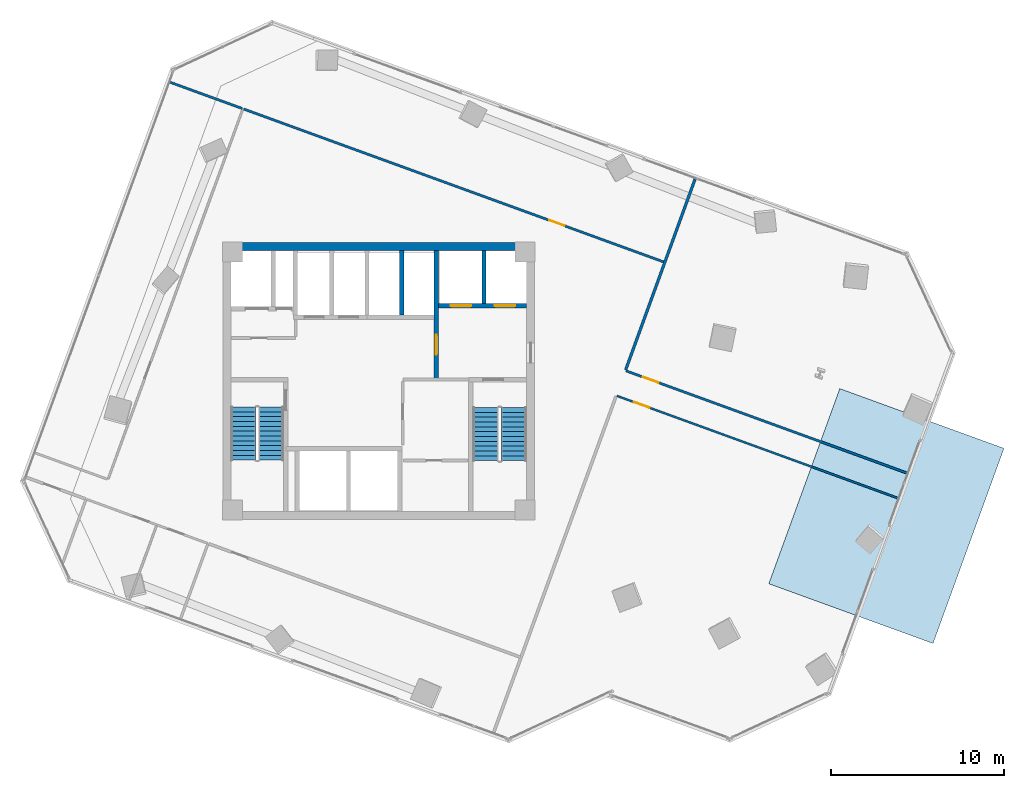
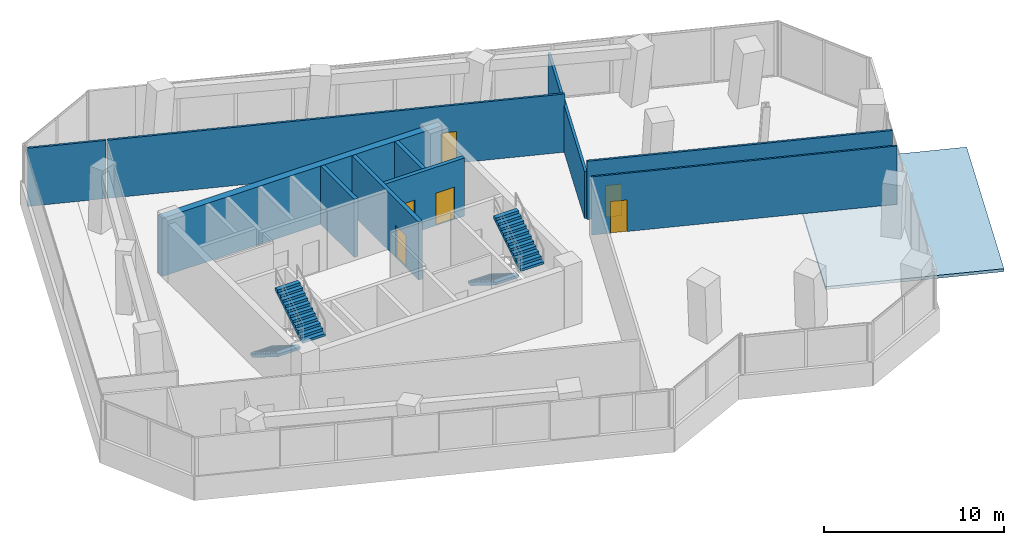
# One storey, part 17 of 21: 10 walls, 6 doors, 4 stair flights, 1 roof, 6 openings, 2 elements without a shape of their own.
"""IFC4 building model written with IfcOpenShell, lengths in metres."""

from ifc_helpers import new_model, si_unit, direction, frame, frame_2d, origin, place, context, subcontext, project, spatial, polyline, rectangle, outline, extrude, source, transform, mapped, material, layer, layer_set, type_object, element, fill, aggregate, save


model = new_model("IFC4")

# Units and contexts
model_context = context("Model", 3, precision=1e-05, world=origin(), true_north=direction((0.0, 1.0)))
body_context = subcontext(model_context, "Body", "Model", "MODEL_VIEW")
ifc_project = project(units=[si_unit("LENGTHUNIT", "METRE"), si_unit("AREAUNIT", "SQUARE_METRE"), si_unit("VOLUMEUNIT", "CUBIC_METRE"), si_unit("PLANEANGLEUNIT", "RADIAN"), si_unit("MASSUNIT", "GRAM", prefix="KILO")], contexts=[model_context])

# Site, building, storey
site_placement = place(None, origin())
site = spatial("IfcSite", under=ifc_project, at=site_placement, CompositionType="ELEMENT")
building_placement = place(site_placement, origin())
building = spatial("IfcBuilding", under=site, at=building_placement, Name="Torre Montelarca", CompositionType="ELEMENT")
storey_placement = place(building_placement, frame((0.0, 0.0, 133.0)))
storey = spatial("IfcBuildingStorey", under=building, at=storey_placement, Name="L29", CompositionType="ELEMENT", Elevation=133.0)

# Wall, opening, door
ifc_material_1 = material(Name="Concrete C40/50", Category="concrete")
ifc_layer_1 = layer(ifc_material_1, 0.25, Name="Concrete C40/50", Category="concrete")
ifc_layer_set_1 = layer_set([ifc_layer_1], Name="Concrete C40/50")
wall_type_1 = type_object("IfcWallType", Name="CW-SHAFT-250", PredefinedType="SHEAR", material=ifc_layer_set_1)
wall_1_placement = place(storey_placement, frame((21.320068359375, 32.1201171875, 0.0), z_axis=(0.0, 0.0, 1.0), x_axis=(0.0, 1.0, 0.0)))
wall_1 = element("IfcWall", 1, at=wall_1_placement, inside=storey, type_object=wall_type_1, Name="L29 Core Shear Wall SH-FFL-W", PredefinedType="SHEAR", context=body_context, shape_type="SweptSolid", body=[
    extrude(rectangle(XDim=7.419921875, YDim=0.25, at=frame_2d((3.7099609375, 0.0))), origin(), (0.0, 0.0, 1.0), 3.9599609375),
])
opening_1_placement = place(wall_1_placement, frame((1.39990234375, 0.0, 0.0)))
opening_1 = element("IfcOpeningElement", 2, at=opening_1_placement, cuts=wall_1, Name="Opening FD-LB1", PredefinedType="OPENING", context=body_context, shape_type="SweptSolid", body=[
    extrude(rectangle(XDim=1.14990234375, YDim=2.199951171875, at=frame_2d((0.574951171875, 1.10009765625))), frame((0.0, 0.135009765625, 0.0), z_axis=(0.0, -1.0, 0.0), x_axis=(1.0, 0.0, 0.0)), (0.0, 0.0, 1.0), 0.27001953125),
])
ifc_material_2 = material(Name="Acoustic timber-veneered fire door", Category="wood")
door_type_1 = type_object("IfcDoorType", Name="DR-LOBBY-115", OperationType="NOTDEFINED", PredefinedType="DOOR", material=ifc_material_2)
shared_shape_1 = source(origin(), body_context, "Body", "SweptSolid", [
    extrude(rectangle(XDim=1.14990234375, YDim=2.199951171875, at=frame_2d((0.574951171875, 1.10009765625))), frame((0.0, 0.02490234375, 0.0), z_axis=(0.0, -1.0, 0.0), x_axis=(1.0, 0.0, 0.0)), (0.0, 0.0, 1.0), 0.050048828125),
])
door_1_placement = place(opening_1_placement, origin())
door_1 = element("IfcDoor", 3, at=door_1_placement, inside=storey, type_object=door_type_1, Name="L29 Lift Lobby to Firefighting Lobby Smoke Door", OperationType="SINGLE_SWING_LEFT", OverallHeight=2.199951171875, OverallWidth=1.14990234375, PredefinedType="DOOR", context=body_context, shape_type="MappedRepresentation", body=[
    mapped(shared_shape_1, transform((0.0, 0.0, 0.0), scale=1.0)),
])
fill(opening_1, door_1)

# Wall, openings, doors
wall_2_placement = place(storey_placement, frame((21.449951171875, 36.35009765625, 0.0), z_axis=(0.0, 0.0, 1.0), x_axis=(1.0, 0.0, 0.0)))
wall_2 = element("IfcWall", 4, at=wall_2_placement, inside=storey, type_object=wall_type_1, Name="L29 Core Shear Wall SH-FF-S", PredefinedType="SHEAR", context=body_context, shape_type="SweptSolid", body=[
    extrude(rectangle(XDim=5.090087890625, YDim=0.25, at=frame_2d((2.544921875, 0.0))), origin(), (0.0, 0.0, 1.0), 3.9599609375),
])
opening_2_placement = place(wall_2_placement, frame((0.699951171875, 0.0, 0.0)))
opening_2 = element("IfcOpeningElement", 5, at=opening_2_placement, cuts=wall_2, Name="Opening LD-120", PredefinedType="OPENING", context=body_context, shape_type="SweptSolid", body=[
    extrude(rectangle(XDim=1.199951171875, YDim=2.199951171875, at=frame_2d((0.60009765625, 1.10009765625))), frame((0.0, 0.135009765625, 0.0), z_axis=(0.0, -1.0, 0.0), x_axis=(1.0, 0.0, 0.0)), (0.0, 0.0, 1.0), 0.27001953125),
])
opening_3_placement = place(wall_2_placement, frame((3.25, 0.0, 0.0)))
opening_3 = element("IfcOpeningElement", 6, at=opening_3_placement, cuts=wall_2, Name="Opening LD-120", PredefinedType="OPENING", context=body_context, shape_type="SweptSolid", body=[
    extrude(rectangle(XDim=1.199951171875, YDim=2.199951171875, at=frame_2d((0.60009765625, 1.10009765625))), frame((0.0, 0.135009765625, 0.0), z_axis=(0.0, -1.0, 0.0), x_axis=(1.0, 0.0, 0.0)), (0.0, 0.0, 1.0), 0.27001953125),
])
ifc_material_3 = material(Name="Brushed stainless steel AISI 316", Category="steel")
door_type_2 = type_object("IfcDoorType", Name="DR-LIFT-120", OperationType="SLIDING_TO_RIGHT", PredefinedType="DOOR", material=ifc_material_3)
shared_shape_2 = source(origin(), body_context, "Body", "SweptSolid", [
    extrude(rectangle(XDim=1.199951171875, YDim=2.199951171875, at=frame_2d((0.60009765625, 1.10009765625))), frame((0.0, 0.02490234375, 0.0), z_axis=(0.0, -1.0, 0.0), x_axis=(1.0, 0.0, 0.0)), (0.0, 0.0, 1.0), 0.050048828125),
])
door_2_placement = place(opening_2_placement, origin())
door_2 = element("IfcDoor", 7, at=door_2_placement, inside=storey, type_object=door_type_2, Name="L29 Lift Landing Sliding Door FF-1", OperationType="SLIDING_TO_LEFT", OverallHeight=2.199951171875, OverallWidth=1.199951171875, PredefinedType="DOOR", context=body_context, shape_type="MappedRepresentation", body=[
    mapped(shared_shape_2, transform((0.0, 0.0, 0.0), scale=1.0)),
])
fill(opening_2, door_2)
door_3_placement = place(opening_3_placement, origin())
door_3 = element("IfcDoor", 8, at=door_3_placement, inside=storey, type_object=door_type_2, Name="L29 Lift Landing Sliding Door FF-2", OperationType="SLIDING_TO_RIGHT", OverallHeight=2.199951171875, OverallWidth=1.199951171875, PredefinedType="DOOR", context=body_context, shape_type="MappedRepresentation", body=[
    mapped(shared_shape_2, transform((0.0, 0.0, 0.0), scale=1.0)),
])
fill(opening_3, door_3)

# Walls
wall_3_placement = place(storey_placement, frame((24.080078125, 36.47998046875, 0.0), z_axis=(0.0, 0.0, 1.0), x_axis=(0.0, 1.0, 0.0)))
element("IfcWall", 9, at=wall_3_placement, inside=storey, type_object=wall_type_1, Name="L29 Core Shear Wall SH-FF-M", PredefinedType="SHEAR", context=body_context, shape_type="SweptSolid", body=[
    extrude(rectangle(XDim=3.06005859375, YDim=0.25, at=frame_2d((1.530029296875, 0.0))), origin(), (0.0, 0.0, 1.0), 3.9599609375),
])
wall_4_placement = place(storey_placement, frame((19.320068359375, 35.81005859375, 0.0), z_axis=(0.0, 0.0, 1.0), x_axis=(0.0, 1.0, 0.0)))
element("IfcWall", 10, at=wall_4_placement, inside=storey, type_object=wall_type_1, Name="L29 Core Shear Wall SH-PLH-M", PredefinedType="SHEAR", context=body_context, shape_type="SweptSolid", body=[
    extrude(rectangle(XDim=3.72998046875, YDim=0.25, at=frame_2d((1.864990234375, 0.0))), origin(), (0.0, 0.0, 1.0), 3.9599609375),
])
ifc_material_4 = material(Name="Concrete C55/67", Category="concrete")
ifc_layer_2 = layer(ifc_material_4, 0.449951171875, Name="Concrete C55/67", Category="concrete")
ifc_layer_set_2 = layer_set([ifc_layer_2], Name="Concrete C55/67")
wall_type_2 = type_object("IfcWallType", Name="CW-SHEAR-450", PredefinedType="SHEAR", material=ifc_layer_set_2)
wall_5_placement = place(storey_placement, frame((9.0, 39.77490234375, 0.0), z_axis=(0.0, 0.0, 1.0), x_axis=(1.0, 0.0, 0.0)))
element("IfcWall", 11, at=wall_5_placement, inside=storey, type_object=wall_type_2, Name="L29 Core Shear Wall CW-N1", PredefinedType="SHEAR", context=body_context, shape_type="SweptSolid", body=[
    extrude(rectangle(XDim=18.0, YDim=0.449951171875, at=frame_2d((9.0, 0.0))), origin(), (0.0, 0.0, 1.0), 3.9599609375),
])
ifc_material_5 = material(Name="Gypsum plasterboard on steel stud", Category="steel")
ifc_layer_3 = layer(ifc_material_5, 0.159912109375, Name="Gypsum plasterboard on steel stud", Category="steel")
ifc_layer_set_3 = layer_set([ifc_layer_3], Name="Gypsum plasterboard on steel stud")
wall_type_3 = type_object("IfcWallType", Name="PW-FIRE-160", PredefinedType="PARTITIONING", material=ifc_layer_set_3)
wall_6_placement = place(storey_placement, frame((32.266845703125, 32.635986328125, 0.0), z_axis=(0.0, 0.0, 1.0), x_axis=(0.34200686721, 0.939697452791, 0.0)))
element("IfcWall", 12, at=wall_6_placement, inside=storey, type_object=wall_type_3, Name="L29 Interior Partition W-L29-ECN", PredefinedType="PARTITIONING", context=body_context, shape_type="SweptSolid", body=[
    extrude(rectangle(XDim=11.739990234375, YDim=0.159912109375, at=frame_2d((5.8701171875, 0.0))), origin(), (0.0, 0.0, 1.0), 3.195068359375),
])

# Wall, opening, door
ifc_layer_4 = layer(ifc_material_5, 0.114990234375, Name="Gypsum plasterboard on steel stud", Category="steel")
ifc_layer_set_4 = layer_set([ifc_layer_4], Name="Gypsum plasterboard on steel stud")
wall_type_4 = type_object("IfcWallType", Name="PW-PART-115", PredefinedType="PARTITIONING", material=ifc_layer_set_4)
wall_7_placement = place(storey_placement, frame((31.763916015625, 31.137451171875, 0.0), z_axis=(0.0, 0.0, 1.0), x_axis=(0.939692730905, -0.342019840775, 0.0)))
wall_7 = element("IfcWall", 13, at=wall_7_placement, inside=storey, type_object=wall_type_4, Name="L29 Interior Partition W-L29-SE-N", PredefinedType="PARTITIONING", context=body_context, shape_type="SweptSolid", body=[
    extrude(rectangle(XDim=17.2802734375, YDim=0.114990234375, at=frame_2d((8.64013671875, 0.0))), origin(), (0.0, 0.0, 1.0), 3.9599609375),
])
opening_4_placement = place(wall_7_placement, frame((1.050048828125, 0.0, 0.0)))
opening_4 = element("IfcOpeningElement", 14, at=opening_4_placement, cuts=wall_7, Name="Opening ID-095", PredefinedType="OPENING", context=body_context, shape_type="SweptSolid", body=[
    extrude(rectangle(XDim=0.949951171875, YDim=2.14990234375, at=frame_2d((0.47509765625, 1.074951171875))), frame((0.0, 0.0673828125, 0.0), z_axis=(0.0, -1.0, 0.0), x_axis=(1.0, 0.0, 0.0)), (0.0, 0.0, 1.0), 0.135009765625),
])
ifc_material_6 = material(Name="Hardwood acoustic timber veneer", Category="wood")
door_type_3 = type_object("IfcDoorType", Name="DR-INT-095", OperationType="NOTDEFINED", PredefinedType="DOOR", material=ifc_material_6)
shared_shape_3 = source(origin(), body_context, "Body", "SweptSolid", [
    extrude(rectangle(XDim=0.949951171875, YDim=2.14990234375, at=frame_2d((0.47509765625, 1.074951171875))), frame((0.0, 0.02490234375, 0.0), z_axis=(0.0, -1.0, 0.0), x_axis=(1.0, 0.0, 0.0)), (0.0, 0.0, 1.0), 0.050048828125),
])
door_4_placement = place(opening_4_placement, origin())
door_4 = element("IfcDoor", 15, at=door_4_placement, inside=storey, type_object=door_type_3, Name="L29 Interior Door 11", OperationType="SINGLE_SWING_LEFT", OverallHeight=2.14990234375, OverallWidth=0.949951171875, PredefinedType="DOOR", context=body_context, shape_type="MappedRepresentation", body=[
    mapped(shared_shape_3, transform((0.0, 0.0, 0.0), scale=1.0)),
])
fill(opening_4, door_4)

ifc_layer_5 = layer(ifc_material_5, 0.135009765625, Name="Gypsum plasterboard on steel stud", Category="steel")
ifc_layer_set_5 = layer_set([ifc_layer_5], Name="Gypsum plasterboard on steel stud")
wall_type_5 = type_object("IfcWallType", Name="PW-PART-135", PredefinedType="PARTITIONING", material=ifc_layer_set_5)
wall_8_placement = place(storey_placement, frame((10.18359375, 47.718505859375, 0.0), z_axis=(0.0, 0.0, 1.0), x_axis=(0.939691432235, -0.342023408826, 0.0)))
wall_8 = element("IfcWall", 16, at=wall_8_placement, inside=storey, type_object=wall_type_5, Name="L29 Interior Partition W-L29-NBOT", PredefinedType="PARTITIONING", context=body_context, shape_type="SweptSolid", body=[
    extrude(rectangle(XDim=25.8701171875, YDim=0.135009765625, at=frame_2d((12.93505859375, 0.0))), origin(), (0.0, 0.0, 1.0), 3.9599609375),
])
opening_5_placement = place(wall_8_placement, frame((18.800048828125, 0.0, 0.0)))
opening_5 = element("IfcOpeningElement", 17, at=opening_5_placement, cuts=wall_8, Name="Opening ID-095", PredefinedType="OPENING", context=body_context, shape_type="SweptSolid", body=[
    extrude(rectangle(XDim=0.949951171875, YDim=2.14990234375, at=frame_2d((0.47509765625, 1.074951171875))), frame((0.0, 0.07763671875, 0.0), z_axis=(0.0, -1.0, 0.0), x_axis=(1.0, 0.0, 0.0)), (0.0, 0.0, 1.0), 0.155029296875),
])
door_5_placement = place(opening_5_placement, origin())
door_5 = element("IfcDoor", 18, at=door_5_placement, inside=storey, type_object=door_type_3, Name="L29 Interior Door 08", OperationType="SINGLE_SWING_LEFT", OverallHeight=2.14990234375, OverallWidth=0.949951171875, PredefinedType="DOOR", context=body_context, shape_type="MappedRepresentation", body=[
    mapped(shared_shape_3, transform((0.0, 0.0, 0.0), scale=1.0)),
])
fill(opening_5, door_5)

# Wall
wall_9_placement = place(storey_placement, frame((5.945556640625, 49.260986328125, 0.0), z_axis=(0.0, 0.0, 1.0), x_axis=(0.939693620895, -0.342017395535, 0.0)))
element("IfcWall", 19, at=wall_9_placement, inside=storey, type_object=wall_type_5, Name="L29 Interior Partition W-L29-WWGN", PredefinedType="PARTITIONING", context=body_context, shape_type="SweptSolid", body=[
    extrude(rectangle(XDim=4.429931640625, YDim=0.135009765625, at=frame_2d((2.21484375, 0.0))), origin(), (0.0, 0.0, 1.0), 3.9599609375),
])

# Wall, opening, door
wall_10_placement = place(storey_placement, frame((32.290771484375, 32.584716796875, 0.0), z_axis=(0.0, 0.0, 1.0), x_axis=(0.939691078169, -0.342024381601, 0.0)))
wall_10 = element("IfcWall", 20, at=wall_10_placement, inside=storey, type_object=wall_type_5, Name="L29 Interior Partition W-L29-NE-S", PredefinedType="PARTITIONING", context=body_context, shape_type="SweptSolid", body=[
    extrude(rectangle(XDim=17.280029296875, YDim=0.135009765625, at=frame_2d((8.64013671875, 0.0))), origin(), (0.0, 0.0, 1.0), 3.9599609375),
])
opening_6_placement = place(wall_10_placement, frame((1.050048828125, 0.0, 0.0)))
opening_6 = element("IfcOpeningElement", 21, at=opening_6_placement, cuts=wall_10, Name="Opening ID-095", PredefinedType="OPENING", context=body_context, shape_type="SweptSolid", body=[
    extrude(rectangle(XDim=0.949951171875, YDim=2.14990234375, at=frame_2d((0.47509765625, 1.074951171875))), frame((0.0, 0.07763671875, 0.0), z_axis=(0.0, -1.0, 0.0), x_axis=(1.0, 0.0, 0.0)), (0.0, 0.0, 1.0), 0.155029296875),
])
door_6_placement = place(opening_6_placement, origin())
door_6 = element("IfcDoor", 22, at=door_6_placement, inside=storey, type_object=door_type_3, Name="L29 Interior Door 10", OperationType="SINGLE_SWING_LEFT", OverallHeight=2.14990234375, OverallWidth=0.949951171875, PredefinedType="DOOR", context=body_context, shape_type="MappedRepresentation", body=[
    mapped(shared_shape_3, transform((0.0, 0.0, 0.0), scale=1.0)),
])
fill(opening_6, door_6)

# Stair, stair flights
stair_type_1 = type_object("IfcStairType", Name="ST-CORE-ST1", PredefinedType="HALF_TURN_STAIR", material=ifc_material_1)
stair_1_placement = place(storey_placement, origin())
stair_1 = element("IfcStair", 23, at=stair_1_placement, inside=storey, type_object=stair_type_1, Name="L29 Protected Exit Stair ST1", PredefinedType="HALF_TURN_STAIR")
stair_flight_type_1 = type_object("IfcStairFlightType", Name="SFL-CORE-ST1", PredefinedType="STRAIGHT", material=ifc_material_1)
stair_flight_1_placement = place(storey_placement, frame((10.175048828125, 30.5, 0.0), z_axis=(0.0, 0.0, 1.0), x_axis=(0.0, -1.0, 0.0)))
stair_flight_1 = element("IfcStairFlight", 24, at=stair_flight_1_placement, type_object=stair_flight_type_1, Name="ST1 flight 1", NumberOfRisers=12, NumberOfTreads=11, PredefinedType="STRAIGHT", RiserHeight=0.175, TreadLength=0.28, context=body_context, shape_type="SweptSolid", body=[
    extrude(outline(polyline([(0.0, 0.0), (0.0, 0.175048828125), (0.280029296875, 0.175048828125), (0.280029296875, 0.35009765625), (0.56005859375, 0.35009765625), (0.56005859375, 0.52490234375), (0.840087890625, 0.52490234375), (0.840087890625, 0.699951171875), (1.1201171875, 0.699951171875), (1.1201171875, 0.875), (1.39990234375, 0.875), (1.39990234375, 1.050048828125), (1.679931640625, 1.050048828125), (1.679931640625, 1.22509765625), (1.9599609375, 1.22509765625), (1.9599609375, 1.39990234375), (2.239990234375, 1.39990234375), (2.239990234375, 1.574951171875), (2.52001953125, 1.574951171875), (2.52001953125, 1.75), (2.800048828125, 1.75), (2.800048828125, 1.925048828125), (3.080078125, 1.925048828125), (3.080078125, 2.10009765625), (3.080078125, 1.748291015625), (0.28271484375, 0.0), (0.0, 0.0)])), frame((0.0, 0.72509765625, 0.0), z_axis=(0.0, -1.0, 0.0), x_axis=(1.0, 0.0, 0.0)), (0.0, 0.0, 1.0), 1.449951171875),
])
stair_flight_2_placement = place(storey_placement, frame((11.77490234375, 27.419921875, 2.10009765625), z_axis=(0.0, 0.0, 1.0), x_axis=(0.0, 1.0, 0.0)))
stair_flight_2 = element("IfcStairFlight", 25, at=stair_flight_2_placement, type_object=stair_flight_type_1, Name="ST1 flight 2", NumberOfRisers=12, NumberOfTreads=11, PredefinedType="STRAIGHT", RiserHeight=0.175, TreadLength=0.28, context=body_context, shape_type="SweptSolid", body=[
    extrude(outline(polyline([(0.0, 0.0), (0.0, 0.175048828125), (0.280029296875, 0.175048828125), (0.280029296875, 0.35009765625), (0.56005859375, 0.35009765625), (0.56005859375, 0.52490234375), (0.840087890625, 0.52490234375), (0.840087890625, 0.699951171875), (1.1201171875, 0.699951171875), (1.1201171875, 0.875), (1.39990234375, 0.875), (1.39990234375, 1.050048828125), (1.679931640625, 1.050048828125), (1.679931640625, 1.22509765625), (1.9599609375, 1.22509765625), (1.9599609375, 1.39990234375), (2.239990234375, 1.39990234375), (2.239990234375, 1.574951171875), (2.52001953125, 1.574951171875), (2.52001953125, 1.75), (2.800048828125, 1.75), (2.800048828125, 1.925048828125), (3.080078125, 1.925048828125), (3.080078125, 2.10009765625), (3.080078125, 1.748291015625), (0.28271484375, 0.0), (0.0, 0.0)])), frame((0.0, 0.72509765625, 0.0), z_axis=(0.0, -1.0, 0.0), x_axis=(1.0, 0.0, 0.0)), (0.0, 0.0, 1.0), 1.449951171875),
])
aggregate(stair_1, [stair_flight_1, stair_flight_2])

stair_type_2 = type_object("IfcStairType", Name="ST-CORE-ST2", PredefinedType="HALF_TURN_STAIR", material=ifc_material_1)
stair_2_placement = place(storey_placement, origin())
stair_2 = element("IfcStair", 26, at=stair_2_placement, inside=storey, type_object=stair_type_2, Name="L29 Protected Exit Stair ST2", PredefinedType="HALF_TURN_STAIR")
stair_flight_type_2 = type_object("IfcStairFlightType", Name="SFL-CORE-ST2", PredefinedType="STRAIGHT", material=ifc_material_1)
stair_flight_3_placement = place(storey_placement, frame((24.179931640625, 30.469970703125, 0.0), z_axis=(0.0, 0.0, 1.0), x_axis=(0.0, -1.0, 0.0)))
stair_flight_3 = element("IfcStairFlight", 27, at=stair_flight_3_placement, type_object=stair_flight_type_2, Name="ST2 flight 1", NumberOfRisers=12, NumberOfTreads=11, PredefinedType="STRAIGHT", RiserHeight=0.175, TreadLength=0.28, context=body_context, shape_type="SweptSolid", body=[
    extrude(outline(polyline([(0.0, 0.0), (0.0, 0.175048828125), (0.280029296875, 0.175048828125), (0.280029296875, 0.35009765625), (0.56005859375, 0.35009765625), (0.56005859375, 0.52490234375), (0.840087890625, 0.52490234375), (0.840087890625, 0.699951171875), (1.1201171875, 0.699951171875), (1.1201171875, 0.875), (1.39990234375, 0.875), (1.39990234375, 1.050048828125), (1.679931640625, 1.050048828125), (1.679931640625, 1.22509765625), (1.9599609375, 1.22509765625), (1.9599609375, 1.39990234375), (2.239990234375, 1.39990234375), (2.239990234375, 1.574951171875), (2.52001953125, 1.574951171875), (2.52001953125, 1.75), (2.800048828125, 1.75), (2.800048828125, 1.925048828125), (3.080078125, 1.925048828125), (3.080078125, 2.10009765625), (3.080078125, 1.748291015625), (0.28271484375, 0.0), (0.0, 0.0)])), frame((0.0, 0.739990234375, 0.0), z_axis=(0.0, -1.0, 0.0), x_axis=(1.0, 0.0, 0.0)), (0.0, 0.0, 1.0), 1.47998046875),
])
stair_flight_4_placement = place(storey_placement, frame((25.81005859375, 27.389892578125, 2.10009765625), z_axis=(0.0, 0.0, 1.0), x_axis=(0.0, 1.0, 0.0)))
stair_flight_4 = element("IfcStairFlight", 28, at=stair_flight_4_placement, type_object=stair_flight_type_2, Name="ST2 flight 2", NumberOfRisers=12, NumberOfTreads=11, PredefinedType="STRAIGHT", RiserHeight=0.175, TreadLength=0.28, context=body_context, shape_type="SweptSolid", body=[
    extrude(outline(polyline([(0.0, 0.0), (0.0, 0.175048828125), (0.280029296875, 0.175048828125), (0.280029296875, 0.35009765625), (0.56005859375, 0.35009765625), (0.56005859375, 0.52490234375), (0.840087890625, 0.52490234375), (0.840087890625, 0.699951171875), (1.1201171875, 0.699951171875), (1.1201171875, 0.875), (1.39990234375, 0.875), (1.39990234375, 1.050048828125), (1.679931640625, 1.050048828125), (1.679931640625, 1.22509765625), (1.9599609375, 1.22509765625), (1.9599609375, 1.39990234375), (2.239990234375, 1.39990234375), (2.239990234375, 1.574951171875), (2.52001953125, 1.574951171875), (2.52001953125, 1.75), (2.800048828125, 1.75), (2.800048828125, 1.925048828125), (3.080078125, 1.925048828125), (3.080078125, 2.10009765625), (3.080078125, 1.748291015625), (0.28271484375, 0.0), (0.0, 0.0)])), frame((0.0, 0.739990234375, 0.0), z_axis=(0.0, -1.0, 0.0), x_axis=(1.0, 0.0, 0.0)), (0.0, 0.0, 1.0), 1.47998046875),
])
aggregate(stair_2, [stair_flight_3, stair_flight_4])

# Roof
ifc_material_7 = material(Name="Precast concrete C45/55", Category="concrete")
ifc_layer_6 = layer(ifc_material_7, 0.199951171875, Name="Precast concrete C45/55", Category="concrete")
ifc_layer_set_6 = layer_set([ifc_layer_6], Name="Precast concrete C45/55")
roof_type = type_object("IfcRoofType", Name="RF-CANOPY-200", PredefinedType="FLAT_ROOF", material=ifc_layer_set_6)
roof_placement = place(storey_placement, frame((0.0, 0.0, -0.239990234375)))
element("IfcRoof", 29, at=roof_placement, inside=storey, type_object=roof_type, Name="L28 Sky Terrace Shaded Terracotta Canopy", PredefinedType="FLAT_ROOF", context=body_context, shape_type="SweptSolid", body=[
    extrude(outline(polyline([(40.540283203125, 20.281005859375), (50.031005859375, 16.82666015625), (54.13525390625, 28.10302734375), (44.644287109375, 31.5576171875), (40.540283203125, 20.281005859375)])), origin(), (0.0, 0.0, 1.0), 0.199951171875),
])

save(model, "model.ifc")
